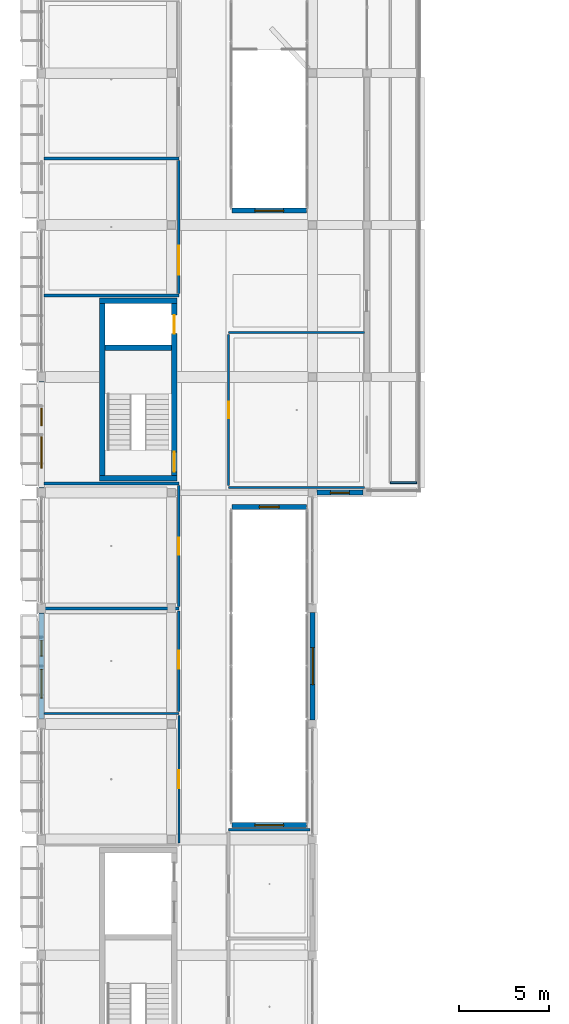
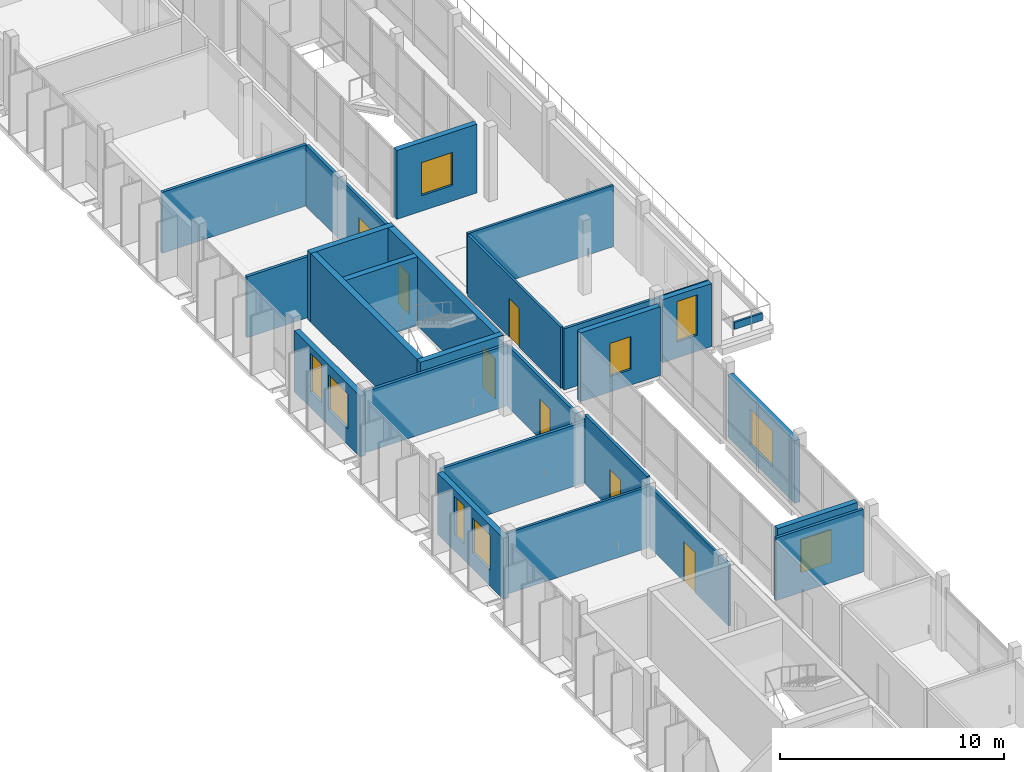
# One storey, part 56 of 86: 26 walls, 9 windows, 7 doors, 16 openings.
"""IFC4 building model written with IfcOpenShell, lengths in metres."""

from ifc_helpers import new_model, si_unit, derived_unit, direction, frame, frame_2d, origin, origin_with_axes, place, context, subcontext, project, spatial, rectangle, extrude, material, layer, layer_set, type_object, element, fill, save


model = new_model("IFC4")

# Units and contexts
model_context = context("Model", 3, precision=1e-05, world=origin(), true_north=direction((0.0, 1.0)))
body_context = subcontext(model_context, "Body", "Model", "MODEL_VIEW")
ifc_project = project(units=[si_unit("LENGTHUNIT", "METRE"), si_unit("AREAUNIT", "SQUARE_METRE"), si_unit("VOLUMEUNIT", "CUBIC_METRE"), si_unit("PLANEANGLEUNIT", "RADIAN"), si_unit("MASSUNIT", "GRAM", prefix="KILO"), derived_unit("THERMALTRANSMITTANCEUNIT", [(si_unit("POWERUNIT", "WATT"), 1), (si_unit("LENGTHUNIT", "METRE"), -2), (si_unit("THERMODYNAMICTEMPERATUREUNIT", "KELVIN"), -1)])], contexts=[model_context])

# Site, building, storey
site_placement = place(None, origin())
site = spatial("IfcSite", under=ifc_project, at=site_placement, CompositionType="ELEMENT")
building_placement = place(site_placement, origin())
building = spatial("IfcBuilding", under=site, at=building_placement, Name="Braskholm Square Health Centre", CompositionType="ELEMENT")
storey_placement = place(building_placement, frame((0.0, 0.0, 13.5)))
storey = spatial("IfcBuildingStorey", under=building, at=storey_placement, Name="L04", CompositionType="ELEMENT", Elevation=13.5)

# Wall, opening, door
ifc_material_1 = material(Name="Acoustic gypsum board partition")
ifc_layer_1 = layer(ifc_material_1, 0.125)
ifc_layer_set_1 = layer_set([ifc_layer_1], Name="Acoustic gypsum board partition")
wall_type_1 = type_object("IfcWallType", Name="ClinicalExamPartition125", PredefinedType="PARTITIONING", material=ifc_layer_set_1)
wall_1_placement = place(storey_placement, frame((11.800048828125, 29.6201171875, 0.0), z_axis=(0.0, 0.0, 1.0), x_axis=(0.0, 1.0, 0.0)))
wall_1 = element("IfcWall", 1, at=wall_1_placement, inside=storey, type_object=wall_type_1, Name="Interior partition PWALL-L04-0162", PredefinedType="PARTITIONING", context=body_context, shape_type="SweptSolid", body=[
    extrude(rectangle(XDim=7.039794921875, YDim=0.125, at=frame_2d((3.52001953125, 0.0))), origin(), (0.0, 0.0, 1.0), 3.344970703125),
])
opening_1_placement = place(wall_1_placement, frame((3.010009765625, 0.0, 0.0)))
opening_1 = element("IfcOpeningElement", 2, at=opening_1_placement, cuts=wall_1, Name="Opening D-25", PredefinedType="OPENING", context=body_context, shape_type="SweptSolid", body=[
    extrude(rectangle(XDim=1.02001953125, YDim=2.179931640625, at=frame_2d((0.510009765625, 1.08984375))), frame((0.0, 0.072509765625, 0.0), z_axis=(0.0, -1.0, 0.0), x_axis=(1.0, 0.0, 0.0)), (0.0, 0.0, 1.0), 0.14501953125),
])
ifc_material_2 = material(Name="Architectural bronze anodised aluminium", Category="aluminium")
door_type_1 = type_object("IfcDoorType", Name="DoorConsultWide1020x2180", OperationType="NOTDEFINED", PredefinedType="DOOR", material=ifc_material_2)
door_1_placement = place(opening_1_placement, origin_with_axes())
door_1 = element("IfcDoor", 3, at=door_1_placement, inside=storey, type_object=door_type_1, Name="Interior door 0075 L04", OperationType="SINGLE_SWING_LEFT", OverallHeight=2.179931640625, OverallWidth=1.02001953125, PredefinedType="DOOR", context=body_context, shape_type="SweptSolid", body=[
    extrude(rectangle(XDim=1.02001953125, YDim=2.179931640625, at=frame_2d((0.510009765625, 1.08984375))), frame((0.0, 0.02490234375, 0.0), z_axis=(0.0, -1.0, 0.0), x_axis=(1.0, 0.0, 0.0)), (0.0, 0.0, 1.0), 0.050048828125),
])
fill(opening_1, door_1)

# Wall
wall_2_placement = place(storey_placement, frame((4.340087890625, 36.780029296875, 0.0), z_axis=(0.0, 0.0, 1.0), x_axis=(1.0, 0.0, 0.0)))
element("IfcWall", 4, at=wall_2_placement, inside=storey, type_object=wall_type_1, Name="Interior partition PWALL-L04-0163", PredefinedType="PARTITIONING", context=body_context, shape_type="SweptSolid", body=[
    extrude(rectangle(XDim=7.4599609375, YDim=0.125, at=frame_2d((3.72998046875, 0.0))), origin(), (0.0, 0.0, 1.0), 3.324951171875),
])

# Wall, opening, door
wall_3_placement = place(storey_placement, frame((14.550048828125, 49.39990234375, 0.0), z_axis=(0.0, 0.0, 1.0), x_axis=(0.0, 1.0, 0.0)))
wall_3 = element("IfcWall", 5, at=wall_3_placement, inside=storey, type_object=wall_type_1, Name="Interior partition PWALL-L04-0190", PredefinedType="PARTITIONING", context=body_context, shape_type="SweptSolid", body=[
    extrude(rectangle(XDim=8.330078125, YDim=0.125, at=frame_2d((4.1650390625, 0.0))), origin(), (0.0, 0.0, 1.0), 3.344970703125),
])
opening_2_placement = place(wall_3_placement, frame((3.715087890625, 0.0, 0.0)))
opening_2 = element("IfcOpeningElement", 6, at=opening_2_placement, cuts=wall_3, Name="Opening D-07", PredefinedType="OPENING", context=body_context, shape_type="SweptSolid", body=[
    extrude(rectangle(XDim=0.89990234375, YDim=2.1201171875, at=frame_2d((0.449951171875, 1.06005859375))), frame((0.0, 0.072509765625, 0.0), z_axis=(0.0, -1.0, 0.0), x_axis=(1.0, 0.0, 0.0)), (0.0, 0.0, 1.0), 0.14501953125),
])
door_type_2 = type_object("IfcDoorType", Name="DoorProviderOffice900x2120", OperationType="NOTDEFINED", PredefinedType="DOOR", material=ifc_material_2)
door_2_placement = place(opening_2_placement, frame((0.89990234375, 0.0, 0.0), z_axis=(0.0, 0.0, 1.0), x_axis=(-1.0, 0.0, 0.0)))
door_2 = element("IfcDoor", 7, at=door_2_placement, inside=storey, type_object=door_type_2, Name="Interior door 0088 L04", OperationType="SINGLE_SWING_RIGHT", OverallHeight=2.1201171875, OverallWidth=0.89990234375, PredefinedType="DOOR", context=body_context, shape_type="SweptSolid", body=[
    extrude(rectangle(XDim=0.89990234375, YDim=2.1201171875, at=frame_2d((0.449951171875, 1.06005859375))), frame((0.0, 0.02490234375, 0.0), z_axis=(0.0, -1.0, 0.0), x_axis=(1.0, 0.0, 0.0)), (0.0, 0.0, 1.0), 0.050048828125),
])
fill(opening_2, door_2)

# Walls
for number, where, z_axis, x_axis, name in (
    (8, (14.550048828125, 49.280029296875, 0.0), (0.0, 0.0, 1.0), (1.0, 0.0, 0.0), "Interior partition PWALL-L04-0191"),
    (9, (14.550048828125, 57.85009765625, 0.0), (0.0, 0.0, 1.0), (1.0, 0.0, 0.0), "Interior partition PWALL-L04-0192"),
):
    element("IfcWall", number, at=place(storey_placement, frame(where, z_axis=z_axis, x_axis=x_axis)), inside=storey, type_object=wall_type_1, Name=name, PredefinedType="PARTITIONING", context=body_context, shape_type="SweptSolid", body=[
        extrude(rectangle(XDim=7.510009765625, YDim=0.125, at=frame_2d((3.7548828125, 0.0))), origin(), (0.0, 0.0, 1.0), 3.3349609375),
    ])

# Wall, opening, door
ifc_layer_2 = layer(ifc_material_1, 0.14990234375)
ifc_layer_set_2 = layer_set([ifc_layer_2], Name="Acoustic gypsum board partition")
wall_type_2 = type_object("IfcWallType", Name="CorridorAcousticPartition150", PredefinedType="PARTITIONING", material=ifc_layer_set_2)
wall_4_placement = place(storey_placement, frame((11.800048828125, 36.89990234375, 0.0), z_axis=(0.0, 0.0, 1.0), x_axis=(0.0, 1.0, 0.0)))
wall_4 = element("IfcWall", 10, at=wall_4_placement, inside=storey, type_object=wall_type_2, Name="Interior partition PWALL-L04-0165", PredefinedType="PARTITIONING", context=body_context, shape_type="SweptSolid", body=[
    extrude(rectangle(XDim=5.56005859375, YDim=0.14990234375, at=frame_2d((2.780029296875, 0.0))), origin(), (0.0, 0.0, 1.0), 3.7451171875),
])
opening_3_placement = place(wall_4_placement, frame((2.364990234375, 0.0, 0.0)))
opening_3 = element("IfcOpeningElement", 11, at=opening_3_placement, cuts=wall_4, Name="Opening D-10", PredefinedType="OPENING", context=body_context, shape_type="SweptSolid", body=[
    extrude(rectangle(XDim=0.97998046875, YDim=2.1201171875, at=frame_2d((0.489990234375, 1.06005859375))), frame((0.0, 0.0849609375, 0.0), z_axis=(0.0, -1.0, 0.0), x_axis=(1.0, 0.0, 0.0)), (0.0, 0.0, 1.0), 0.169921875),
])
door_type_3 = type_object("IfcDoorType", Name="DoorUtilityStore980x2120", OperationType="NOTDEFINED", PredefinedType="DOOR", material=ifc_material_2)
door_3_placement = place(opening_3_placement, origin_with_axes())
door_3 = element("IfcDoor", 12, at=door_3_placement, inside=storey, type_object=door_type_3, Name="Interior door 0076 L04", OperationType="SINGLE_SWING_RIGHT", OverallHeight=2.1201171875, OverallWidth=0.97998046875, PredefinedType="DOOR", context=body_context, shape_type="SweptSolid", body=[
    extrude(rectangle(XDim=0.97998046875, YDim=2.1201171875, at=frame_2d((0.489990234375, 1.06005859375))), frame((0.0, 0.02490234375, 0.0), z_axis=(0.0, -1.0, 0.0), x_axis=(1.0, 0.0, 0.0)), (0.0, 0.0, 1.0), 0.050048828125),
])
fill(opening_3, door_3)

# Wall
wall_5_placement = place(storey_placement, frame((4.340087890625, 42.580078125, 0.0), z_axis=(0.0, 0.0, 1.0), x_axis=(1.0, 0.0, 0.0)))
element("IfcWall", 13, at=wall_5_placement, inside=storey, type_object=wall_type_2, Name="Interior partition PWALL-L04-0166", PredefinedType="PARTITIONING", context=body_context, shape_type="SweptSolid", body=[
    extrude(rectangle(XDim=7.4599609375, YDim=0.14990234375, at=frame_2d((3.72998046875, 0.0))), origin(), (0.0, 0.0, 1.0), 3.344970703125),
])

# Wall, opening, door
wall_6_placement = place(storey_placement, frame((11.800048828125, 42.699951171875, 0.0), z_axis=(0.0, 0.0, 1.0), x_axis=(0.0, 1.0, 0.0)))
wall_6 = element("IfcWall", 14, at=wall_6_placement, inside=storey, type_object=wall_type_2, Name="Interior partition PWALL-L04-0167", PredefinedType="PARTITIONING", context=body_context, shape_type="SweptSolid", body=[
    extrude(rectangle(XDim=6.679931640625, YDim=0.14990234375, at=frame_2d((3.33984375, 0.0))), origin(), (0.0, 0.0, 1.0), 3.344970703125),
])
opening_4_placement = place(wall_6_placement, frame((2.8701171875, 0.0, 0.0)))
opening_4 = element("IfcOpeningElement", 15, at=opening_4_placement, cuts=wall_6, Name="Opening D-08", PredefinedType="OPENING", context=body_context, shape_type="SweptSolid", body=[
    extrude(rectangle(XDim=0.93994140625, YDim=2.179931640625, at=frame_2d((0.469970703125, 1.08984375))), frame((0.0, 0.0849609375, 0.0), z_axis=(0.0, -1.0, 0.0), x_axis=(1.0, 0.0, 0.0)), (0.0, 0.0, 1.0), 0.169921875),
])
door_type_4 = type_object("IfcDoorType", Name="DoorCounseling940x2180", OperationType="NOTDEFINED", PredefinedType="DOOR", material=ifc_material_2)
door_4_placement = place(opening_4_placement, origin_with_axes())
door_4 = element("IfcDoor", 16, at=door_4_placement, inside=storey, type_object=door_type_4, Name="Interior door 0077 L04", OperationType="SINGLE_SWING_LEFT", OverallHeight=2.179931640625, OverallWidth=0.93994140625, PredefinedType="DOOR", context=body_context, shape_type="SweptSolid", body=[
    extrude(rectangle(XDim=0.93994140625, YDim=2.179931640625, at=frame_2d((0.469970703125, 1.08984375))), frame((0.0, 0.02490234375, 0.0), z_axis=(0.0, -1.0, 0.0), x_axis=(1.0, 0.0, 0.0)), (0.0, 0.0, 1.0), 0.050048828125),
])
fill(opening_4, door_4)

# Wall
wall_7_placement = place(storey_placement, frame((4.340087890625, 49.5, 0.0), z_axis=(0.0, 0.0, 1.0), x_axis=(1.0, 0.0, 0.0)))
element("IfcWall", 17, at=wall_7_placement, inside=storey, type_object=wall_type_2, Name="Interior partition PWALL-L04-0168", PredefinedType="PARTITIONING", context=body_context, shape_type="SweptSolid", body=[
    extrude(rectangle(XDim=7.4599609375, YDim=0.14990234375, at=frame_2d((3.72998046875, 0.0))), origin(), (0.0, 0.0, 1.0), 3.324951171875),
])

# Wall, opening, door
wall_8_placement = place(storey_placement, frame((11.800048828125, 60.02001953125, 0.0), z_axis=(0.0, 0.0, 1.0), x_axis=(0.0, 1.0, 0.0)))
wall_8 = element("IfcWall", 18, at=wall_8_placement, inside=storey, type_object=wall_type_2, Name="Interior partition PWALL-L04-0169", PredefinedType="PARTITIONING", context=body_context, shape_type="SweptSolid", body=[
    extrude(rectangle(XDim=7.340087890625, YDim=0.14990234375, at=frame_2d((3.669921875, 0.0))), origin(), (0.0, 0.0, 1.0), 3.344970703125),
])
opening_5_placement = place(wall_8_placement, frame((1.028076171875, 0.0, 0.0)))
opening_5 = element("IfcOpeningElement", 19, at=opening_5_placement, cuts=wall_8, Name="Opening D-11", PredefinedType="OPENING", context=body_context, shape_type="SweptSolid", body=[
    extrude(rectangle(XDim=1.60009765625, YDim=2.25, at=frame_2d((0.800048828125, 1.125))), frame((0.0, 0.0849609375, 0.0), z_axis=(0.0, -1.0, 0.0), x_axis=(1.0, 0.0, 0.0)), (0.0, 0.0, 1.0), 0.169921875),
])
door_type_5 = type_object("IfcDoorType", Name="DoorClassroomDouble1600x2250", OperationType="DOUBLE_DOOR_SINGLE_SWING", PredefinedType="DOOR", material=ifc_material_2)
door_5_placement = place(opening_5_placement, origin_with_axes())
door_5 = element("IfcDoor", 20, at=door_5_placement, inside=storey, type_object=door_type_5, Name="Interior door 0078 L04", OperationType="DOUBLE_DOOR_SINGLE_SWING", OverallHeight=2.25, OverallWidth=1.60009765625, PredefinedType="DOOR", context=body_context, shape_type="SweptSolid", body=[
    extrude(rectangle(XDim=1.60009765625, YDim=2.25, at=frame_2d((0.800048828125, 1.125))), frame((0.0, 0.02490234375, 0.0), z_axis=(0.0, -1.0, 0.0), x_axis=(1.0, 0.0, 0.0)), (0.0, 0.0, 1.0), 0.050048828125),
])
fill(opening_5, door_5)

# Walls
for number, where, z_axis, x_axis, name in (
    (21, (4.340087890625, 67.47998046875, 0.0), (0.0, 0.0, 1.0), (1.0, 0.0, 0.0), "Interior partition PWALL-L04-0170"),
    (22, (4.340087890625, 59.89990234375, 0.0), (0.0, 0.0, 1.0), (1.0, 0.0, 0.0), "Interior partition PWALL-L04-0171"),
):
    element("IfcWall", number, at=place(storey_placement, frame(where, z_axis=z_axis, x_axis=x_axis)), inside=storey, type_object=wall_type_2, Name=name, PredefinedType="PARTITIONING", context=body_context, shape_type="SweptSolid", body=[
        extrude(rectangle(XDim=7.4599609375, YDim=0.14990234375, at=frame_2d((3.72998046875, 0.0))), origin(), (0.0, 0.0, 1.0), 3.324951171875),
    ])
wall_9_placement = place(storey_placement, frame((14.550048828125, 30.35009765625, 0.0), z_axis=(0.0, 0.0, 1.0), x_axis=(1.0, 0.0, 0.0)))
element("IfcWall", 23, at=wall_9_placement, inside=storey, type_object=wall_type_2, Name="Interior partition PWALL-L04-0189", PredefinedType="PARTITIONING", context=body_context, shape_type="SweptSolid", body=[
    extrude(rectangle(XDim=4.510009765625, YDim=0.14990234375, at=frame_2d((2.2548828125, 0.0))), origin(), (0.0, 0.0, 1.0), 3.4150390625),
])

# Wall, openings, windows
ifc_material_3 = material(Name="Precast concrete C40/50 architectural white", Category="concrete")
ifc_layer_3 = layer(ifc_material_3, 0.280029296875)
ifc_layer_set_3 = layer_set([ifc_layer_3], Name="Precast concrete C40/50 architectural white")
wall_type_3 = type_object("IfcWallType", Name="ExteriorPrecastSpandrelWall280", PredefinedType="SOLIDWALL", material=ifc_layer_set_3)
wall_10_placement = place(storey_placement, frame((4.199951171875, 42.337890625, 0.0), z_axis=(0.0, 0.0, 1.0), x_axis=(0.0, -1.0, 0.0)))
wall_10 = element("IfcWall", 24, at=wall_10_placement, inside=storey, type_object=wall_type_3, Name="Exterior wall EWALL-L04-0030", PredefinedType="SOLIDWALL", context=body_context, shape_type="SweptSolid", body=[
    extrude(rectangle(XDim=5.8759765625, YDim=0.280029296875, at=frame_2d((2.93798828125, 0.0))), origin(), (0.0, 0.0, 1.0), 3.330078125),
])
opening_6_placement = place(wall_10_placement, frame((1.533935546875, 0.0, 0.8798828125)))
opening_6 = element("IfcOpeningElement", 25, at=opening_6_placement, cuts=wall_10, Name="Opening WN-32", PredefinedType="OPENING", context=body_context, shape_type="SweptSolid", body=[
    extrude(rectangle(XDim=0.85009765625, YDim=2.10009765625, at=frame_2d((0.425048828125, 1.050048828125))), frame((0.0, 0.14990234375, 0.0), z_axis=(0.0, -1.0, 0.0), x_axis=(1.0, 0.0, 0.0)), (0.0, 0.0, 1.0), 0.300048828125),
])
opening_7_placement = place(wall_10_placement, frame((3.126953125, 0.0, 0.8798828125)))
opening_7 = element("IfcOpeningElement", 26, at=opening_7_placement, cuts=wall_10, Name="Opening WN-37", PredefinedType="OPENING", context=body_context, shape_type="SweptSolid", body=[
    extrude(rectangle(XDim=1.580078125, YDim=1.89990234375, at=frame_2d((0.7900390625, 0.949951171875))), frame((0.0, 0.14990234375, 0.0), z_axis=(0.0, -1.0, 0.0), x_axis=(1.0, 0.0, 0.0)), (0.0, 0.0, 1.0), 0.300048828125),
])
ifc_material_4 = material(Name="Low-E triple insulating glass (VLT 0.64)", Category="glass")
window_type_1 = type_object("IfcWindowType", Name="WinArtDecoNarrow850x2100", PartitioningType="SINGLE_PANEL", PredefinedType="WINDOW", material=ifc_material_4)
window_1_placement = place(opening_6_placement, origin_with_axes())
window_1 = element("IfcWindow", 27, at=window_1_placement, inside=storey, type_object=window_type_1, Name="Exterior window 0055 L04", OverallHeight=2.10009765625, OverallWidth=0.85009765625, PartitioningType="SINGLE_PANEL", PredefinedType="WINDOW", context=body_context, shape_type="SweptSolid", body=[
    extrude(rectangle(XDim=0.85009765625, YDim=2.10009765625, at=frame_2d((0.425048828125, 1.050048828125))), frame((0.0, 0.030029296875, 0.0), z_axis=(0.0, -1.0, 0.0), x_axis=(1.0, 0.0, 0.0)), (0.0, 0.0, 1.0), 0.06005859375),
])
fill(opening_6, window_1)
window_type_2 = type_object("IfcWindowType", Name="WinArtDecoWide1580x1900", PartitioningType="SINGLE_PANEL", PredefinedType="WINDOW", material=ifc_material_4)
window_2_placement = place(opening_7_placement, origin_with_axes())
window_2 = element("IfcWindow", 28, at=window_2_placement, inside=storey, type_object=window_type_2, Name="Exterior window 0056 L04", OverallHeight=1.89990234375, OverallWidth=1.580078125, PartitioningType="SINGLE_PANEL", PredefinedType="WINDOW", context=body_context, shape_type="SweptSolid", body=[
    extrude(rectangle(XDim=1.580078125, YDim=1.89990234375, at=frame_2d((0.7900390625, 0.949951171875))), frame((0.0, 0.030029296875, 0.0), z_axis=(0.0, -1.0, 0.0), x_axis=(1.0, 0.0, 0.0)), (0.0, 0.0, 1.0), 0.06005859375),
])
fill(opening_7, window_2)

wall_11_placement = place(storey_placement, frame((4.199951171875, 55.137939453125, 0.0), z_axis=(0.0, 0.0, 1.0), x_axis=(0.0, -1.0, 0.0)))
wall_11 = element("IfcWall", 29, at=wall_11_placement, inside=storey, type_object=wall_type_3, Name="Exterior wall EWALL-L04-0031", PredefinedType="SOLIDWALL", context=body_context, shape_type="SweptSolid", body=[
    extrude(rectangle(XDim=5.8759765625, YDim=0.280029296875, at=frame_2d((2.93798828125, 0.0))), origin(), (0.0, 0.0, 1.0), 3.330078125),
])
opening_8_placement = place(wall_11_placement, frame((1.468994140625, 0.0, 0.8798828125)))
opening_8 = element("IfcOpeningElement", 30, at=opening_8_placement, cuts=wall_11, Name="Opening WN-33", PredefinedType="OPENING", context=body_context, shape_type="SweptSolid", body=[
    extrude(rectangle(XDim=0.97998046875, YDim=2.10009765625, at=frame_2d((0.489990234375, 1.050048828125))), frame((0.0, 0.14990234375, 0.0), z_axis=(0.0, -1.0, 0.0), x_axis=(1.0, 0.0, 0.0)), (0.0, 0.0, 1.0), 0.300048828125),
])
opening_9_placement = place(wall_11_placement, frame((3.047119140625, 0.0, 0.8798828125)))
opening_9 = element("IfcOpeningElement", 31, at=opening_9_placement, cuts=wall_11, Name="Opening WN-38", PredefinedType="OPENING", context=body_context, shape_type="SweptSolid", body=[
    extrude(rectangle(XDim=1.739990234375, YDim=1.89990234375, at=frame_2d((0.8701171875, 0.949951171875))), frame((0.0, 0.14990234375, 0.0), z_axis=(0.0, -1.0, 0.0), x_axis=(1.0, 0.0, 0.0)), (0.0, 0.0, 1.0), 0.300048828125),
])
window_type_3 = type_object("IfcWindowType", Name="WinArtDecoNarrow980x2100", PartitioningType="SINGLE_PANEL", PredefinedType="WINDOW", material=ifc_material_4)
window_3_placement = place(opening_8_placement, origin_with_axes())
window_3 = element("IfcWindow", 32, at=window_3_placement, inside=storey, type_object=window_type_3, Name="Exterior window 0057 L04", OverallHeight=2.10009765625, OverallWidth=0.97998046875, PartitioningType="SINGLE_PANEL", PredefinedType="WINDOW", context=body_context, shape_type="SweptSolid", body=[
    extrude(rectangle(XDim=0.97998046875, YDim=2.10009765625, at=frame_2d((0.489990234375, 1.050048828125))), frame((0.0, 0.030029296875, 0.0), z_axis=(0.0, -1.0, 0.0), x_axis=(1.0, 0.0, 0.0)), (0.0, 0.0, 1.0), 0.06005859375),
])
fill(opening_8, window_3)
window_type_4 = type_object("IfcWindowType", Name="WinArtDecoWide1740x1900", PartitioningType="SINGLE_PANEL", PredefinedType="WINDOW", material=ifc_material_4)
window_4_placement = place(opening_9_placement, origin_with_axes())
window_4 = element("IfcWindow", 33, at=window_4_placement, inside=storey, type_object=window_type_4, Name="Exterior window 0058 L04", OverallHeight=1.89990234375, OverallWidth=1.739990234375, PartitioningType="SINGLE_PANEL", PredefinedType="WINDOW", context=body_context, shape_type="SweptSolid", body=[
    extrude(rectangle(XDim=1.739990234375, YDim=1.89990234375, at=frame_2d((0.8701171875, 0.949951171875))), frame((0.0, 0.030029296875, 0.0), z_axis=(0.0, -1.0, 0.0), x_axis=(1.0, 0.0, 0.0)), (0.0, 0.0, 1.0), 0.06005859375),
])
fill(opening_9, window_4)

# Wall, opening, window
wall_12_placement = place(storey_placement, frame((19.199951171875, 36.427001953125, 0.0), z_axis=(0.0, 0.0, 1.0), x_axis=(0.0, 1.0, 0.0)))
wall_12 = element("IfcWall", 34, at=wall_12_placement, inside=storey, type_object=wall_type_3, Name="Exterior wall EWALL-L04-0132", PredefinedType="SOLIDWALL", context=body_context, shape_type="SweptSolid", body=[
    extrude(rectangle(XDim=5.946044921875, YDim=0.280029296875, at=frame_2d((2.97314453125, 0.0))), origin(), (0.0, 0.0, 1.0), 3.419921875),
])
opening_10_placement = place(wall_12_placement, frame((1.947998046875, 0.0, 0.800048828125)))
opening_10 = element("IfcOpeningElement", 35, at=opening_10_placement, cuts=wall_12, Name="Opening WN-25", PredefinedType="OPENING", context=body_context, shape_type="SweptSolid", body=[
    extrude(rectangle(XDim=2.050048828125, YDim=1.949951171875, at=frame_2d((1.02490234375, 0.97509765625))), frame((0.0, 0.14990234375, 0.0), z_axis=(0.0, -1.0, 0.0), x_axis=(1.0, 0.0, 0.0)), (0.0, 0.0, 1.0), 0.300048828125),
])
window_type_5 = type_object("IfcWindowType", Name="WinValleyTerrace2050x1950", PartitioningType="SINGLE_PANEL", PredefinedType="WINDOW", material=ifc_material_4)
window_5_placement = place(opening_10_placement, origin_with_axes())
window_5 = element("IfcWindow", 36, at=window_5_placement, inside=storey, type_object=window_type_5, Name="Exterior window 0194 L04", OverallHeight=1.949951171875, OverallWidth=2.050048828125, PartitioningType="SINGLE_PANEL", PredefinedType="WINDOW", context=body_context, shape_type="SweptSolid", body=[
    extrude(rectangle(XDim=2.050048828125, YDim=1.949951171875, at=frame_2d((1.02490234375, 0.97509765625))), frame((0.0, 0.030029296875, 0.0), z_axis=(0.0, -1.0, 0.0), x_axis=(1.0, 0.0, 0.0)), (0.0, 0.0, 1.0), 0.06005859375),
])
fill(opening_10, window_5)

wall_13_placement = place(storey_placement, frame((19.427001953125, 49.0, 0.0), z_axis=(0.0, 0.0, 1.0), x_axis=(1.0, 0.0, 0.0)))
wall_13 = element("IfcWall", 37, at=wall_13_placement, inside=storey, type_object=wall_type_3, Name="Exterior wall EWALL-L04-0217", PredefinedType="SOLIDWALL", context=body_context, shape_type="SweptSolid", body=[
    extrude(rectangle(XDim=2.5458984375, YDim=0.280029296875, at=frame_2d((1.27294921875, 0.0))), origin(), (0.0, 0.0, 1.0), 3.43994140625),
])
opening_11_placement = place(wall_13_placement, frame((0.748046875, 0.0, 0.8798828125)))
opening_11 = element("IfcOpeningElement", 38, at=opening_11_placement, cuts=wall_13, Name="Opening WN-02", PredefinedType="OPENING", context=body_context, shape_type="SweptSolid", body=[
    extrude(rectangle(XDim=1.050048828125, YDim=2.199951171875, at=frame_2d((0.52490234375, 1.10009765625))), frame((0.0, 0.14990234375, 0.0), z_axis=(0.0, -1.0, 0.0), x_axis=(1.0, 0.0, 0.0)), (0.0, 0.0, 1.0), 0.300048828125),
])
window_type_6 = type_object("IfcWindowType", Name="WinArtDecoLancet1050x2200", PartitioningType="SINGLE_PANEL", PredefinedType="WINDOW", material=ifc_material_4)
window_6_placement = place(opening_11_placement, origin_with_axes())
window_6 = element("IfcWindow", 39, at=window_6_placement, inside=storey, type_object=window_type_6, Name="Exterior window 0268 L04", OverallHeight=2.199951171875, OverallWidth=1.050048828125, PartitioningType="SINGLE_PANEL", PredefinedType="WINDOW", context=body_context, shape_type="SweptSolid", body=[
    extrude(rectangle(XDim=1.050048828125, YDim=2.199951171875, at=frame_2d((0.52490234375, 1.10009765625))), frame((0.0, 0.030029296875, 0.0), z_axis=(0.0, -1.0, 0.0), x_axis=(1.0, 0.0, 0.0)), (0.0, 0.0, 1.0), 0.06005859375),
])
fill(opening_11, window_6)

wall_14_placement = place(storey_placement, frame((18.865966796875, 30.60009765625, 0.0), z_axis=(0.0, 0.0, 1.0), x_axis=(-1.0, 0.0, 0.0)))
wall_14 = element("IfcWall", 40, at=wall_14_placement, inside=storey, type_object=wall_type_3, Name="Exterior wall EWALL-L04-0289", PredefinedType="SOLIDWALL", context=body_context, shape_type="SweptSolid", body=[
    extrude(rectangle(XDim=4.132080078125, YDim=0.280029296875, at=frame_2d((2.06591796875, 0.0))), origin(), (0.0, 0.0, 1.0), 3.75),
])
opening_12_placement = place(wall_14_placement, frame((1.26611328125, 0.0, 0.85009765625)))
opening_12 = element("IfcOpeningElement", 41, at=opening_12_placement, cuts=wall_14, Name="Opening WN-27", PredefinedType="OPENING", context=body_context, shape_type="SweptSolid", body=[
    extrude(rectangle(XDim=1.60009765625, YDim=1.800048828125, at=frame_2d((0.800048828125, 0.89990234375))), frame((0.0, 0.14990234375, 0.0), z_axis=(0.0, -1.0, 0.0), x_axis=(1.0, 0.0, 0.0)), (0.0, 0.0, 1.0), 0.300048828125),
])
window_type_7 = type_object("IfcWindowType", Name="WinLightCourt1600x1800", PartitioningType="SINGLE_PANEL", PredefinedType="WINDOW", material=ifc_material_4)
window_7_placement = place(opening_12_placement, origin_with_axes())
window_7 = element("IfcWindow", 42, at=window_7_placement, inside=storey, type_object=window_type_7, Name="Exterior window 0335 L04", OverallHeight=1.800048828125, OverallWidth=1.60009765625, PartitioningType="SINGLE_PANEL", PredefinedType="WINDOW", context=body_context, shape_type="SweptSolid", body=[
    extrude(rectangle(XDim=1.60009765625, YDim=1.800048828125, at=frame_2d((0.800048828125, 0.89990234375))), frame((0.0, 0.030029296875, 0.0), z_axis=(0.0, -1.0, 0.0), x_axis=(1.0, 0.0, 0.0)), (0.0, 0.0, 1.0), 0.06005859375),
])
fill(opening_12, window_7)

wall_15_placement = place(storey_placement, frame((14.73388671875, 48.199951171875, 0.0), z_axis=(0.0, 0.0, 1.0), x_axis=(1.0, 0.0, 0.0)))
wall_15 = element("IfcWall", 43, at=wall_15_placement, inside=storey, type_object=wall_type_3, Name="Exterior wall EWALL-L04-0290", PredefinedType="SOLIDWALL", context=body_context, shape_type="SweptSolid", body=[
    extrude(rectangle(XDim=4.132080078125, YDim=0.280029296875, at=frame_2d((2.06591796875, 0.0))), origin(), (0.0, 0.0, 1.0), 3.75),
])
opening_13_placement = place(wall_15_placement, frame((1.51611328125, 0.0, 0.85009765625)))
opening_13 = element("IfcOpeningElement", 44, at=opening_13_placement, cuts=wall_15, Name="Opening WN-26", PredefinedType="OPENING", context=body_context, shape_type="SweptSolid", body=[
    extrude(rectangle(XDim=1.10009765625, YDim=1.800048828125, at=frame_2d((0.550048828125, 0.89990234375))), frame((0.0, 0.14990234375, 0.0), z_axis=(0.0, -1.0, 0.0), x_axis=(1.0, 0.0, 0.0)), (0.0, 0.0, 1.0), 0.300048828125),
])
window_type_8 = type_object("IfcWindowType", Name="WinLightCourt1100x1800", PartitioningType="SINGLE_PANEL", PredefinedType="WINDOW", material=ifc_material_4)
window_8_placement = place(opening_13_placement, origin_with_axes())
window_8 = element("IfcWindow", 45, at=window_8_placement, inside=storey, type_object=window_type_8, Name="Exterior window 0336 L04", OverallHeight=1.800048828125, OverallWidth=1.10009765625, PartitioningType="SINGLE_PANEL", PredefinedType="WINDOW", context=body_context, shape_type="SweptSolid", body=[
    extrude(rectangle(XDim=1.10009765625, YDim=1.800048828125, at=frame_2d((0.550048828125, 0.89990234375))), frame((0.0, 0.030029296875, 0.0), z_axis=(0.0, -1.0, 0.0), x_axis=(1.0, 0.0, 0.0)), (0.0, 0.0, 1.0), 0.06005859375),
])
fill(opening_13, window_8)

wall_16_placement = place(storey_placement, frame((18.865966796875, 64.60009765625, 0.0), z_axis=(0.0, 0.0, 1.0), x_axis=(-1.0, 0.0, 0.0)))
wall_16 = element("IfcWall", 46, at=wall_16_placement, inside=storey, type_object=wall_type_3, Name="Exterior wall EWALL-L04-0301", PredefinedType="SOLIDWALL", context=body_context, shape_type="SweptSolid", body=[
    extrude(rectangle(XDim=4.132080078125, YDim=0.280029296875, at=frame_2d((2.06591796875, 0.0))), origin(), (0.0, 0.0, 1.0), 3.75),
])
opening_14_placement = place(wall_16_placement, frame((1.26611328125, 0.0, 0.85009765625)))
opening_14 = element("IfcOpeningElement", 47, at=opening_14_placement, cuts=wall_16, Name="Opening WN-27", PredefinedType="OPENING", context=body_context, shape_type="SweptSolid", body=[
    extrude(rectangle(XDim=1.60009765625, YDim=1.800048828125, at=frame_2d((0.800048828125, 0.89990234375))), frame((0.0, 0.14990234375, 0.0), z_axis=(0.0, -1.0, 0.0), x_axis=(1.0, 0.0, 0.0)), (0.0, 0.0, 1.0), 0.300048828125),
])
window_9_placement = place(opening_14_placement, origin_with_axes())
window_9 = element("IfcWindow", 48, at=window_9_placement, inside=storey, type_object=window_type_7, Name="Exterior window 0347 L04", OverallHeight=1.800048828125, OverallWidth=1.60009765625, PartitioningType="SINGLE_PANEL", PredefinedType="WINDOW", context=body_context, shape_type="SweptSolid", body=[
    extrude(rectangle(XDim=1.60009765625, YDim=1.800048828125, at=frame_2d((0.800048828125, 0.89990234375))), frame((0.0, 0.030029296875, 0.0), z_axis=(0.0, -1.0, 0.0), x_axis=(1.0, 0.0, 0.0)), (0.0, 0.0, 1.0), 0.06005859375),
])
fill(opening_14, window_9)

# Walls
ifc_material_5 = material(Name="Concrete C40/50 (f'c = 40 MPa)", Category="concrete")
ifc_layer_4 = layer(ifc_material_5, 0.300048828125)
ifc_layer_set_4 = layer_set([ifc_layer_4], Name="Concrete C40/50 (f'c = 40 MPa)")
wall_type_4 = type_object("IfcWallType", Name="ShearCoreWall300", PredefinedType="SHEAR", material=ifc_layer_set_4)
for number, where, z_axis, x_axis, name in (
    (49, (7.39990234375, 49.800048828125, 0.0), (0.0, 0.0, 1.0), (1.0, 0.0, 0.0), "CWALL-K2-L04 south wall"),
    (50, (11.699951171875, 59.60009765625, 0.0), (0.0, 0.0, 1.0), (-1.0, 0.0, 0.0), "CWALL-K2-L04 north wall"),
):
    element("IfcWall", number, at=place(storey_placement, frame(where, z_axis=z_axis, x_axis=x_axis)), inside=storey, type_object=wall_type_4, Name=name, PredefinedType="SHEAR", context=body_context, shape_type="SweptSolid", body=[
        extrude(rectangle(XDim=4.300048828125, YDim=0.300048828125, at=frame_2d((2.14990234375, 0.0))), origin(), (0.0, 0.0, 1.0), 3.75),
    ])
wall_17_placement = place(storey_placement, frame((7.550048828125, 59.449951171875, 0.0), z_axis=(0.0, 0.0, 1.0), x_axis=(0.0, -1.0, 0.0)))
element("IfcWall", 51, at=wall_17_placement, inside=storey, type_object=wall_type_4, Name="CWALL-K2-L04 west wall", PredefinedType="SHEAR", context=body_context, shape_type="SweptSolid", body=[
    extrude(rectangle(XDim=9.5, YDim=0.300048828125, at=frame_2d((4.75, 0.0))), origin(), (0.0, 0.0, 1.0), 3.75),
])

# Wall, openings, doors
wall_18_placement = place(storey_placement, frame((11.550048828125, 49.949951171875, 0.0), z_axis=(0.0, 0.0, 1.0), x_axis=(0.0, 1.0, 0.0)))
wall_18 = element("IfcWall", 52, at=wall_18_placement, inside=storey, type_object=wall_type_4, Name="CWALL-K2-L04 east wall", PredefinedType="SHEAR", context=body_context, shape_type="SweptSolid", body=[
    extrude(rectangle(XDim=9.5, YDim=0.300048828125, at=frame_2d((4.75, 0.0))), origin(), (0.0, 0.0, 1.0), 3.75),
])
opening_15_placement = place(wall_18_placement, frame((0.199951171875, 0.0, 0.0)))
opening_15 = element("IfcOpeningElement", 53, at=opening_15_placement, cuts=wall_18, Name="Opening D-22", PredefinedType="OPENING", context=body_context, shape_type="SweptSolid", body=[
    extrude(rectangle(XDim=1.10009765625, YDim=2.199951171875, at=frame_2d((0.550048828125, 1.10009765625))), frame((0.0, 0.16015625, 0.0), z_axis=(0.0, -1.0, 0.0), x_axis=(1.0, 0.0, 0.0)), (0.0, 0.0, 1.0), 0.320068359375),
])
opening_16_placement = place(wall_18_placement, frame((7.840087890625, 0.0, 0.0)))
opening_16 = element("IfcOpeningElement", 54, at=opening_16_placement, cuts=wall_18, Name="Opening LD-2", PredefinedType="OPENING", context=body_context, shape_type="SweptSolid", body=[
    extrude(rectangle(XDim=1.02001953125, YDim=2.14990234375, at=frame_2d((0.510009765625, 1.074951171875))), frame((0.0, 0.16015625, 0.0), z_axis=(0.0, -1.0, 0.0), x_axis=(1.0, 0.0, 0.0)), (0.0, 0.0, 1.0), 0.320068359375),
])
door_type_6 = type_object("IfcDoorType", Name="DoorLiftLandingPassenger1020x2150", OperationType="SLIDING_TO_LEFT", PredefinedType="DOOR", material=ifc_material_2)
door_6_placement = place(opening_16_placement, origin_with_axes())
door_6 = element("IfcDoor", 55, at=door_6_placement, inside=storey, type_object=door_type_6, Name="Elevator EL-04 sliding landing door L04", OperationType="SLIDING_TO_LEFT", OverallHeight=2.14990234375, OverallWidth=1.02001953125, PredefinedType="DOOR", context=body_context, shape_type="SweptSolid", body=[
    extrude(rectangle(XDim=1.02001953125, YDim=2.14990234375, at=frame_2d((0.510009765625, 1.074951171875))), frame((0.0, 0.02490234375, 0.0), z_axis=(0.0, -1.0, 0.0), x_axis=(1.0, 0.0, 0.0)), (0.0, 0.0, 1.0), 0.050048828125),
])
fill(opening_16, door_6)
door_type_7 = type_object("IfcDoorType", Name="DoorStairEnclosure1100x2200", OperationType="NOTDEFINED", PredefinedType="DOOR", material=ifc_material_2)
door_7_placement = place(opening_15_placement, origin_with_axes())
door_7 = element("IfcDoor", 56, at=door_7_placement, inside=storey, type_object=door_type_7, Name="Stair ST-02 door L04", OperationType="SINGLE_SWING_LEFT", OverallHeight=2.199951171875, OverallWidth=1.10009765625, PredefinedType="DOOR", context=body_context, shape_type="SweptSolid", body=[
    extrude(rectangle(XDim=1.10009765625, YDim=2.199951171875, at=frame_2d((0.550048828125, 1.10009765625))), frame((0.0, 0.02490234375, 0.0), z_axis=(0.0, -1.0, 0.0), x_axis=(1.0, 0.0, 0.0)), (0.0, 0.0, 1.0), 0.050048828125),
])
fill(opening_15, door_7)

# Walls
wall_19_placement = place(storey_placement, frame((7.699951171875, 57.0, 0.0), z_axis=(0.0, 0.0, 1.0), x_axis=(1.0, 0.0, 0.0)))
element("IfcWall", 57, at=wall_19_placement, inside=storey, type_object=wall_type_4, Name="Core K2 internal shear divider L04", PredefinedType="SHEAR", context=body_context, shape_type="SweptSolid", body=[
    extrude(rectangle(XDim=3.699951171875, YDim=0.300048828125, at=frame_2d((1.85009765625, 0.0))), origin(), (0.0, 0.0, 1.0), 3.75),
])
ifc_layer_5 = layer(ifc_material_3, 0.10009765625)
ifc_layer_set_5 = layer_set([ifc_layer_5], Name="Precast concrete C40/50 architectural white")
wall_type_5 = type_object("IfcWallType", Name="SteppedPrecastParapet100", PredefinedType="PARAPET", material=ifc_layer_set_5)
wall_20_placement = place(storey_placement, frame((23.5, 49.550048828125, 0.0), z_axis=(0.0, 0.0, 1.0), x_axis=(1.0, 0.0, 0.0)))
element("IfcWall", 58, at=wall_20_placement, inside=storey, type_object=wall_type_5, Name="Stepped precast planter parapet 017", PredefinedType="PARAPET", context=body_context, shape_type="SweptSolid", body=[
    extrude(rectangle(XDim=1.449951171875, YDim=0.10009765625, at=frame_2d((0.72509765625, 0.0))), origin(), (0.0, 0.0, 1.0), 0.3798828125),
])

save(model, "model.ifc")
